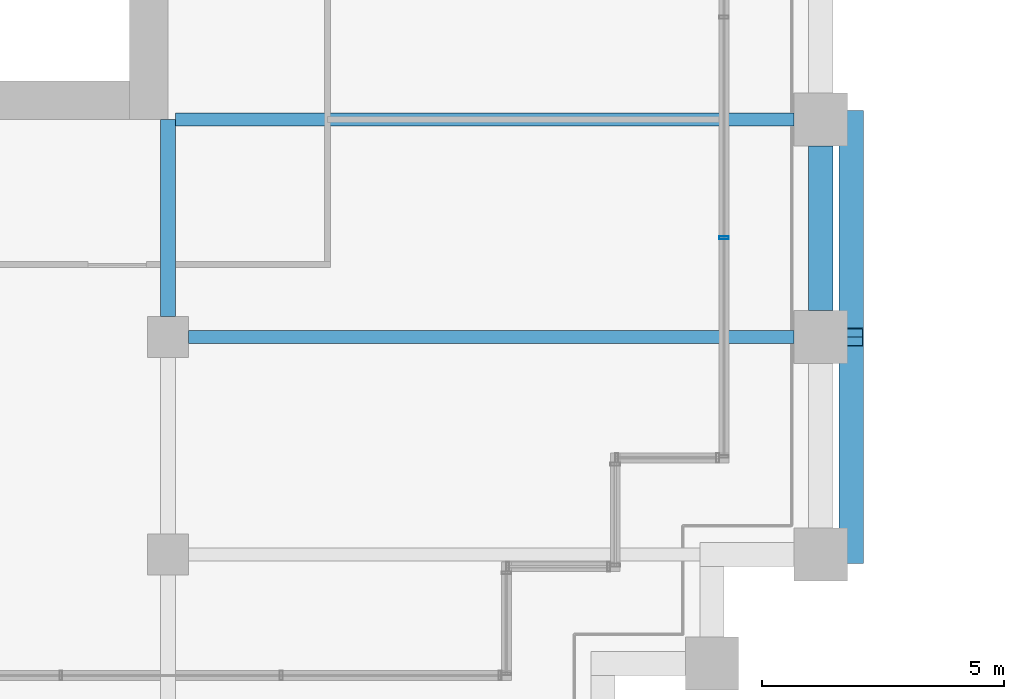
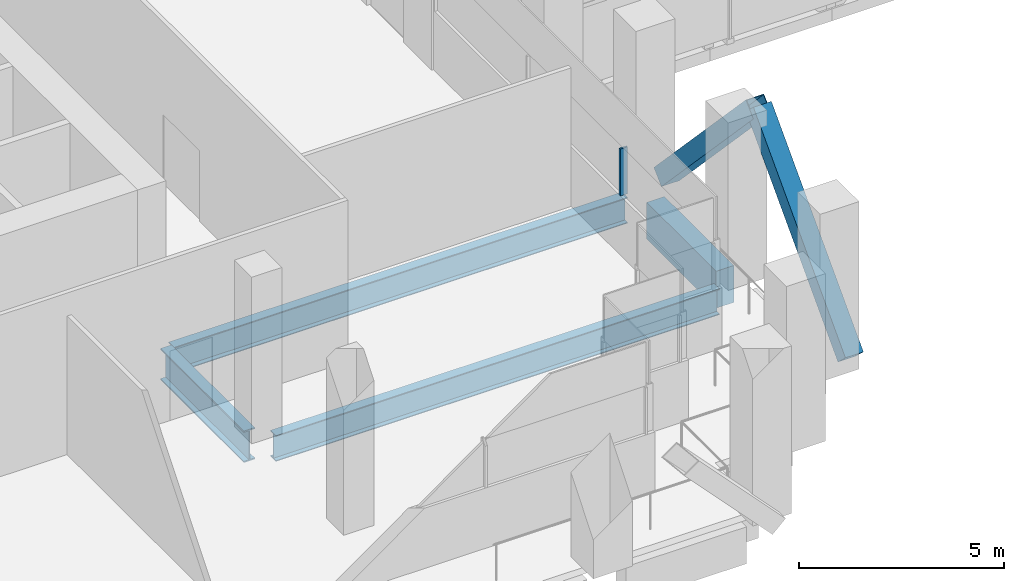
# One storey, part 11 of 44: 4 beams, 3 members, 1 element without a shape of its own.
"""IFC4 building model written with IfcOpenShell, lengths in metres."""

from ifc_helpers import new_model, si_unit, direction, frame, origin, origin_2d, place, context, subcontext, project, spatial, rectangle, hollow_rectangle, i_section, extrude, material, material_profile, profile_set, type_object, element, aggregate, save


model = new_model("IFC4")

# Units and contexts
model_context = context("Model", 3, precision=1e-05, world=origin(), true_north=direction((0.0, 1.0)))
body_context = subcontext(model_context, "Body", "Model", "MODEL_VIEW")
ifc_project = project(units=[si_unit("LENGTHUNIT", "METRE"), si_unit("AREAUNIT", "SQUARE_METRE"), si_unit("VOLUMEUNIT", "CUBIC_METRE"), si_unit("PLANEANGLEUNIT", "RADIAN"), si_unit("MASSUNIT", "GRAM", prefix="KILO")], contexts=[model_context])

# Site, building, storey
site_placement = place(None, origin())
site = spatial("IfcSite", under=ifc_project, at=site_placement, CompositionType="ELEMENT")
building_placement = place(site_placement, origin())
building = spatial("IfcBuilding", under=site, at=building_placement, Name="Altepetl Exchange Towers", CompositionType="ELEMENT")
storey_placement = place(building_placement, frame((0.0, 0.0, 87.0)))
storey = spatial("IfcBuildingStorey", under=building, at=storey_placement, Name="L21 Refuge", CompositionType="ELEMENT", Elevation=87.0)

# Members
ifc_material_1 = material(Name="Steel S355", Category="steel")
ifc_material_profile_1 = material_profile(ifc_material_1, hollow_rectangle(XDim=0.508056640625, YDim=0.508056640625, WallThickness=0.017578125, at=origin_2d()), Name="HSS508X508X19.0")
ifc_profile_set_1 = profile_set([ifc_material_profile_1], Name="Steel S355")
member_type_1 = type_object("IfcMemberType", Name="Belt diagonal HSS508X508X19.0", PredefinedType="BRACE", material=ifc_profile_set_1)
for number, where, z_axis, x_axis, name in (
    (1, (72.6298828125, 31.5, 0.0), (0.0, 0.687744647911, 0.725952683906), (-1.0, 0.0, 0.0), "brc:A:L21:008"),
    (2, (72.6298828125, 36.0, 4.75), (0.0, 0.687744647911, -0.725952683906), (-1.0, 0.0, 0.0), "brc:A:L21:009"),
):
    element("IfcMember", number, at=place(storey_placement, frame(where, z_axis=z_axis, x_axis=x_axis)), inside=storey, type_object=member_type_1, Name=name, PredefinedType="BRACE", context=body_context, shape_type="SweptSolid", body=[
        extrude(hollow_rectangle(XDim=0.508056640625, YDim=0.508056640625, WallThickness=0.017578125, at=origin_2d()), origin(), (0.0, 0.0, 1.0), 6.543212890625),
    ])

# Beams
ifc_material_profile_2 = material_profile(ifc_material_1, i_section(OverallWidth=0.26806640625, OverallDepth=0.77392578125, WebThickness=0.015380859375, FlangeThickness=0.025390625, at=origin_2d()), Name="W30X132")
ifc_profile_set_2 = profile_set([ifc_material_profile_2], Name="Steel S355")
beam_type_1 = type_object("IfcBeamType", Name="Floor beam W30X132", PredefinedType="BEAM", material=ifc_profile_set_2)
beam_1_placement = place(storey_placement, frame((58.925048828125, 36.0, -0.5869140625), z_axis=(1.0, 0.0, 0.0), x_axis=(0.0, 1.0, 0.0)))
element("IfcBeam", 3, at=beam_1_placement, inside=storey, type_object=beam_type_1, Name="bm:A:L21:007", PredefinedType="BEAM", context=body_context, shape_type="SweptSolid", body=[
    extrude(i_section(OverallWidth=0.26806640625, OverallDepth=0.77392578125, WebThickness=0.015380859375, FlangeThickness=0.025390625, at=origin_2d()), origin(), (0.0, 0.0, 1.0), 12.52490234375),
])
beam_2_placement = place(storey_placement, frame((58.654052734375, 40.5, -0.5869140625), z_axis=(1.0, 0.0, 0.0), x_axis=(0.0, 1.0, 0.0)))
element("IfcBeam", 4, at=beam_2_placement, inside=storey, type_object=beam_type_1, Name="bm:A:L21:008", PredefinedType="BEAM", context=body_context, shape_type="SweptSolid", body=[
    extrude(i_section(OverallWidth=0.26806640625, OverallDepth=0.77392578125, WebThickness=0.015380859375, FlangeThickness=0.025390625, at=origin_2d()), origin(), (0.0, 0.0, 1.0), 12.7958984375),
])
ifc_material_profile_3 = material_profile(ifc_material_1, i_section(OverallWidth=0.30810546875, OverallDepth=0.943115234375, WebThickness=0.022216796875, FlangeThickness=0.039794921875, at=origin_2d()), Name="W36X232")
ifc_profile_set_3 = profile_set([ifc_material_profile_3], Name="Steel S355")
beam_type_2 = type_object("IfcBeamType", Name="Girder W36X232", PredefinedType="BEAM", material=ifc_profile_set_3)
beam_3_placement = place(storey_placement, frame((58.5, 40.5, -0.67138671875), z_axis=(0.0, -1.0, 0.0), x_axis=(1.0, 0.0, 0.0)))
element("IfcBeam", 5, at=beam_3_placement, inside=storey, type_object=beam_type_2, Name="gd:A:L21:006", PredefinedType="BEAM", context=body_context, shape_type="SweptSolid", body=[
    extrude(i_section(OverallWidth=0.30810546875, OverallDepth=0.943115234375, WebThickness=0.022216796875, FlangeThickness=0.039794921875, at=origin_2d()), origin(), (0.0, 0.0, 1.0), 4.074951171875),
])

# Curtain wall, member
ifc_material_2 = material(Name="Aluminium 6063-T6 glazing", Category="aluminium")
curtain_wall_type = type_object("IfcCurtainWallType", Name="Refuge slit glazing system", PredefinedType="NOTDEFINED", material=ifc_material_2)
curtain_wall_placement = place(storey_placement, origin())
curtain_wall = element("IfcCurtainWall", 6, at=curtain_wall_placement, inside=storey, type_object=curtain_wall_type, Name="CW3 run", PredefinedType="NOTDEFINED")
ifc_material_3 = material(Name="Aluminium 6063-T6", Category="aluminium")
ifc_material_profile_4 = material_profile(ifc_material_3, hollow_rectangle(XDim=0.06005859375, YDim=0.199951171875, WallThickness=0.0029296875, at=origin_2d()), Name="Mullion 60x200 aluminium")
ifc_profile_set_4 = profile_set([ifc_material_profile_4], Name="Aluminium 6063-T6")
member_type_2 = type_object("IfcMemberType", Name="Mullion 60x200 aluminium", PredefinedType="MULLION", material=ifc_profile_set_4)
member_placement = place(storey_placement, frame((70.0, 38.05712890625, 1.800048828125), z_axis=(0.0, 0.0, 1.0), x_axis=(0.0, 1.0, 0.0)))
member = element("IfcMember", 7, at=member_placement, type_object=member_type_2, Name="MU2 mullion", PredefinedType="MULLION", context=body_context, shape_type="SweptSolid", body=[
    extrude(hollow_rectangle(XDim=0.06005859375, YDim=0.199951171875, WallThickness=0.0029296875, at=origin_2d()), origin(), (0.0, 0.0, 1.0), 1.39990234375),
])
aggregate(curtain_wall, [member])

# Beam
ifc_material_4 = material(Name="Concrete C50/60 precast with cantera amarilla facing", Category="concrete")
ifc_material_profile_5 = material_profile(ifc_material_4, rectangle(XDim=0.5, YDim=1.10009765625, at=origin_2d()), Name="500 x 1100")
ifc_profile_set_5 = profile_set([ifc_material_profile_5], Name="Concrete C50/60 precast with cantera amarilla facing")
beam_type_3 = type_object("IfcBeamType", Name="Spandrel beam 500x1100 cantera amarilla", PredefinedType="SPANDREL", material=ifc_profile_set_5)
beam_4_placement = place(storey_placement, frame((72.0, 36.550048828125, -0.75), z_axis=(0.0, 1.0, 0.0), x_axis=(-1.0, 0.0, 0.0)))
element("IfcBeam", 8, at=beam_4_placement, inside=storey, type_object=beam_type_3, Name="sp:A:L21:013", PredefinedType="SPANDREL", context=body_context, shape_type="SweptSolid", body=[
    extrude(rectangle(XDim=0.5, YDim=1.10009765625, at=origin_2d()), origin(), (0.0, 0.0, 1.0), 3.39990234375),
])

save(model, "model.ifc")
